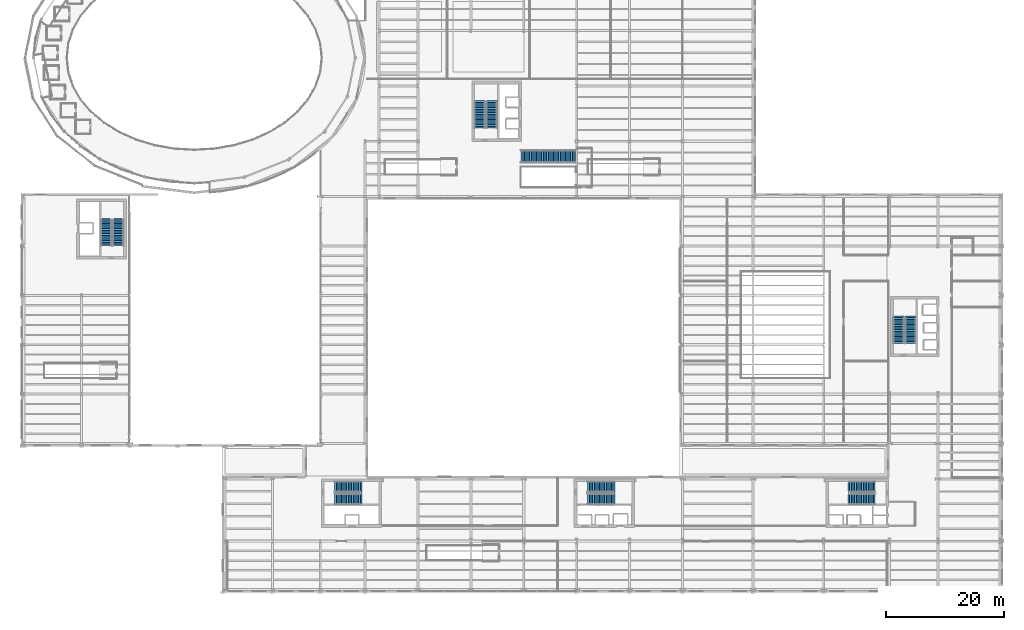
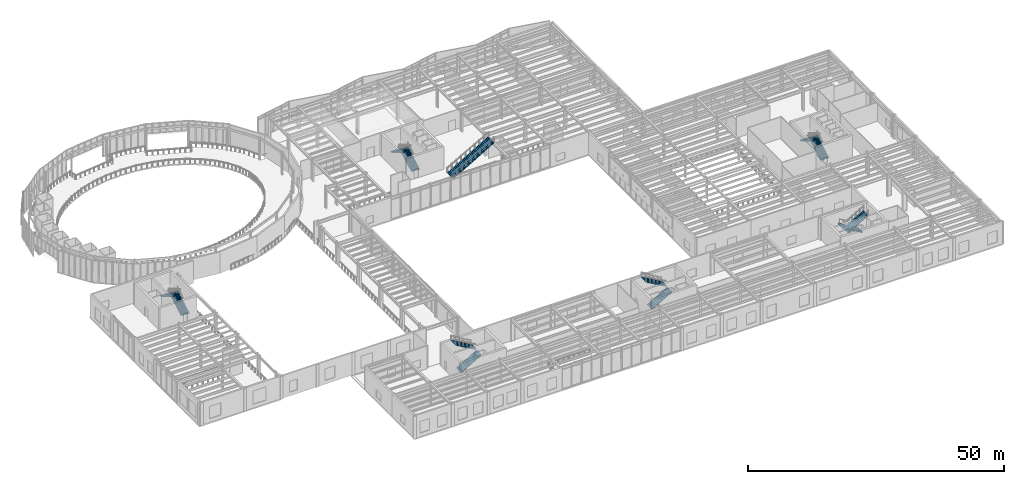
# One storey, part 84 of 98: 13 stair flights, 7 elements without a shape of their own.
"""IFC4 building model written with IfcOpenShell, lengths in metres."""

from ifc_helpers import new_model, si_unit, direction, frame, origin, place, context, subcontext, project, spatial, polyline, outline, extrude, material, type_object, element, aggregate, save


model = new_model("IFC4")

# Units and contexts
model_context = context("Model", 3, precision=1e-05, world=origin(), true_north=direction((0.0, 1.0)))
body_context = subcontext(model_context, "Body", "Model", "MODEL_VIEW")
ifc_project = project(units=[si_unit("LENGTHUNIT", "METRE"), si_unit("AREAUNIT", "SQUARE_METRE"), si_unit("VOLUMEUNIT", "CUBIC_METRE"), si_unit("PLANEANGLEUNIT", "RADIAN"), si_unit("MASSUNIT", "GRAM", prefix="KILO")], contexts=[model_context])

# Site, building, storey
site_placement = place(None, origin())
site = spatial("IfcSite", under=ifc_project, at=site_placement, CompositionType="ELEMENT")
building_placement = place(site_placement, origin())
building = spatial("IfcBuilding", under=site, at=building_placement, Name="Sollismere Congress Hotel", CompositionType="ELEMENT")
storey_placement = place(building_placement, frame((0.0, 0.0, 5.39990234375)))
storey = spatial("IfcBuildingStorey", under=building, at=storey_placement, Name="L01", CompositionType="ELEMENT", Elevation=5.39990234375)

# Stair, stair flights
ifc_material_1 = material(Name="Concrete C40/50", Category="concrete")
stair_type_1 = type_object("IfcStairType", Name="STR-DL-540", PredefinedType="HALF_TURN_STAIR", material=ifc_material_1)
stair_1_placement = place(storey_placement, origin())
stair_1 = element("IfcStair", 1, at=stair_1_placement, inside=storey, type_object=stair_type_1, Name="Protected exit stair ST-01-L01", PredefinedType="HALF_TURN_STAIR")
stair_flight_type_1 = type_object("IfcStairFlightType", Name="STF-DL-540", PredefinedType="STRAIGHT", material=ifc_material_1)
stair_flight_1_placement = place(storey_placement, frame((144.75, 17.425048828125, 0.0), z_axis=(0.0, 0.0, 1.0), x_axis=(-1.0, 0.0, 0.0)))
stair_flight_1 = element("IfcStairFlight", 2, at=stair_flight_1_placement, type_object=stair_flight_type_1, Name="Exit stair flight ST-01-L01-F1", NumberOfRisers=16, NumberOfTreads=16, PredefinedType="STRAIGHT", RiserHeight=0.168701171875, TreadLength=0.2900390625, context=body_context, shape_type="SweptSolid", body=[
    extrude(outline(polyline([(0.0, 0.0), (0.0, 0.168701171875), (0.2900390625, 0.168701171875), (0.2900390625, 0.33740234375), (0.580078125, 0.33740234375), (0.580078125, 0.506103515625), (0.8701171875, 0.506103515625), (0.8701171875, 0.6748046875), (1.16015625, 0.6748046875), (1.16015625, 0.843505859375), (1.4501953125, 0.843505859375), (1.4501953125, 1.01220703125), (1.740234375, 1.01220703125), (1.740234375, 1.180908203125), (2.0302734375, 1.180908203125), (2.0302734375, 1.349609375), (2.3203125, 1.349609375), (2.3203125, 1.518310546875), (2.6103515625, 1.518310546875), (2.6103515625, 1.68701171875), (2.900390625, 1.68701171875), (2.900390625, 1.855712890625), (3.1904296875, 1.855712890625), (3.1904296875, 2.0244140625), (3.48046875, 2.0244140625), (3.48046875, 2.193115234375), (3.7705078125, 2.193115234375), (3.7705078125, 2.36181640625), (4.060546875, 2.36181640625), (4.060546875, 2.530517578125), (4.3505859375, 2.530517578125), (4.3505859375, 2.69921875), (4.640625, 2.69921875), (4.640625, 2.51416015625), (0.318115234375, 0.0), (0.0, 0.0)])), frame((0.0, 0.925048828125, 0.0), z_axis=(0.0, -1.0, 0.0), x_axis=(1.0, 0.0, 0.0)), (0.0, 0.0, 1.0), 1.85009765625),
])
stair_flight_2_placement = place(storey_placement, frame((140.110107421875, 15.375, 2.7001953125), z_axis=(0.0, 0.0, 1.0), x_axis=(1.0, 0.0, 0.0)))
stair_flight_2 = element("IfcStairFlight", 3, at=stair_flight_2_placement, type_object=stair_flight_type_1, Name="Exit stair flight ST-01-L01-F2", NumberOfRisers=16, NumberOfTreads=16, PredefinedType="STRAIGHT", RiserHeight=0.168701171875, TreadLength=0.2900390625, context=body_context, shape_type="SweptSolid", body=[
    extrude(outline(polyline([(0.0, 0.0), (0.0, 0.168701171875), (0.2900390625, 0.168701171875), (0.2900390625, 0.33740234375), (0.580078125, 0.33740234375), (0.580078125, 0.506103515625), (0.8701171875, 0.506103515625), (0.8701171875, 0.6748046875), (1.16015625, 0.6748046875), (1.16015625, 0.843505859375), (1.4501953125, 0.843505859375), (1.4501953125, 1.01220703125), (1.740234375, 1.01220703125), (1.740234375, 1.180908203125), (2.0302734375, 1.180908203125), (2.0302734375, 1.349609375), (2.3203125, 1.349609375), (2.3203125, 1.518310546875), (2.6103515625, 1.518310546875), (2.6103515625, 1.68701171875), (2.900390625, 1.68701171875), (2.900390625, 1.855712890625), (3.1904296875, 1.855712890625), (3.1904296875, 2.0244140625), (3.48046875, 2.0244140625), (3.48046875, 2.193115234375), (3.7705078125, 2.193115234375), (3.7705078125, 2.36181640625), (4.060546875, 2.36181640625), (4.060546875, 2.530517578125), (4.3505859375, 2.530517578125), (4.3505859375, 2.69921875), (4.640625, 2.69921875), (4.640625, 2.51416015625), (0.318115234375, 0.0), (0.0, 0.0)])), frame((0.0, 0.925048828125, 0.0), z_axis=(0.0, -1.0, 0.0), x_axis=(1.0, 0.0, 0.0)), (0.0, 0.0, 1.0), 1.85009765625),
])
aggregate(stair_1, [stair_flight_1, stair_flight_2])

stair_2_placement = place(storey_placement, origin())
stair_2 = element("IfcStair", 4, at=stair_2_placement, inside=storey, type_object=stair_type_1, Name="Protected exit stair ST-02-L01", PredefinedType="HALF_TURN_STAIR")
stair_flight_3_placement = place(storey_placement, frame((95.85009765625, 15.375, 0.0), z_axis=(0.0, 0.0, 1.0), x_axis=(1.0, 0.0, 0.0)))
stair_flight_3 = element("IfcStairFlight", 5, at=stair_flight_3_placement, type_object=stair_flight_type_1, Name="Exit stair flight ST-02-L01-F1", NumberOfRisers=16, NumberOfTreads=16, PredefinedType="STRAIGHT", RiserHeight=0.168701171875, TreadLength=0.2900390625, context=body_context, shape_type="SweptSolid", body=[
    extrude(outline(polyline([(0.0, 0.0), (0.0, 0.168701171875), (0.2900390625, 0.168701171875), (0.2900390625, 0.33740234375), (0.580078125, 0.33740234375), (0.580078125, 0.506103515625), (0.8701171875, 0.506103515625), (0.8701171875, 0.6748046875), (1.16015625, 0.6748046875), (1.16015625, 0.843505859375), (1.4501953125, 0.843505859375), (1.4501953125, 1.01220703125), (1.740234375, 1.01220703125), (1.740234375, 1.180908203125), (2.0302734375, 1.180908203125), (2.0302734375, 1.349609375), (2.3203125, 1.349609375), (2.3203125, 1.518310546875), (2.6103515625, 1.518310546875), (2.6103515625, 1.68701171875), (2.900390625, 1.68701171875), (2.900390625, 1.855712890625), (3.1904296875, 1.855712890625), (3.1904296875, 2.0244140625), (3.48046875, 2.0244140625), (3.48046875, 2.193115234375), (3.7705078125, 2.193115234375), (3.7705078125, 2.36181640625), (4.060546875, 2.36181640625), (4.060546875, 2.530517578125), (4.3505859375, 2.530517578125), (4.3505859375, 2.69921875), (4.640625, 2.69921875), (4.640625, 2.51416015625), (0.318115234375, 0.0), (0.0, 0.0)])), frame((0.0, 0.925048828125, 0.0), z_axis=(0.0, -1.0, 0.0), x_axis=(1.0, 0.0, 0.0)), (0.0, 0.0, 1.0), 1.85009765625),
])
stair_flight_4_placement = place(storey_placement, frame((100.489990234375, 17.425048828125, 2.7001953125), z_axis=(0.0, 0.0, 1.0), x_axis=(-1.0, 0.0, 0.0)))
stair_flight_4 = element("IfcStairFlight", 6, at=stair_flight_4_placement, type_object=stair_flight_type_1, Name="Exit stair flight ST-02-L01-F2", NumberOfRisers=16, NumberOfTreads=16, PredefinedType="STRAIGHT", RiserHeight=0.168701171875, TreadLength=0.2900390625, context=body_context, shape_type="SweptSolid", body=[
    extrude(outline(polyline([(0.0, 0.0), (0.0, 0.168701171875), (0.2900390625, 0.168701171875), (0.2900390625, 0.33740234375), (0.580078125, 0.33740234375), (0.580078125, 0.506103515625), (0.8701171875, 0.506103515625), (0.8701171875, 0.6748046875), (1.16015625, 0.6748046875), (1.16015625, 0.843505859375), (1.4501953125, 0.843505859375), (1.4501953125, 1.01220703125), (1.740234375, 1.01220703125), (1.740234375, 1.180908203125), (2.0302734375, 1.180908203125), (2.0302734375, 1.349609375), (2.3203125, 1.349609375), (2.3203125, 1.518310546875), (2.6103515625, 1.518310546875), (2.6103515625, 1.68701171875), (2.900390625, 1.68701171875), (2.900390625, 1.855712890625), (3.1904296875, 1.855712890625), (3.1904296875, 2.0244140625), (3.48046875, 2.0244140625), (3.48046875, 2.193115234375), (3.7705078125, 2.193115234375), (3.7705078125, 2.36181640625), (4.060546875, 2.36181640625), (4.060546875, 2.530517578125), (4.3505859375, 2.530517578125), (4.3505859375, 2.69921875), (4.640625, 2.69921875), (4.640625, 2.51416015625), (0.318115234375, 0.0), (0.0, 0.0)])), frame((0.0, 0.925048828125, 0.0), z_axis=(0.0, -1.0, 0.0), x_axis=(1.0, 0.0, 0.0)), (0.0, 0.0, 1.0), 1.85009765625),
])
aggregate(stair_2, [stair_flight_3, stair_flight_4])

stair_3_placement = place(storey_placement, origin())
stair_3 = element("IfcStair", 7, at=stair_3_placement, inside=storey, type_object=stair_type_1, Name="Protected exit stair ST-03-L01", PredefinedType="HALF_TURN_STAIR")
stair_flight_5_placement = place(storey_placement, frame((150.77490234375, 41.85009765625, 0.0), z_axis=(0.0, 0.0, 1.0), x_axis=(0.0, 1.0, 0.0)))
stair_flight_5 = element("IfcStairFlight", 8, at=stair_flight_5_placement, type_object=stair_flight_type_1, Name="Exit stair flight ST-03-L01-F1", NumberOfRisers=16, NumberOfTreads=16, PredefinedType="STRAIGHT", RiserHeight=0.168701171875, TreadLength=0.2900390625, context=body_context, shape_type="SweptSolid", body=[
    extrude(outline(polyline([(0.0, 0.0), (0.0, 0.168701171875), (0.2900390625, 0.168701171875), (0.2900390625, 0.33740234375), (0.580078125, 0.33740234375), (0.580078125, 0.506103515625), (0.8701171875, 0.506103515625), (0.8701171875, 0.6748046875), (1.16015625, 0.6748046875), (1.16015625, 0.843505859375), (1.4501953125, 0.843505859375), (1.4501953125, 1.01220703125), (1.740234375, 1.01220703125), (1.740234375, 1.180908203125), (2.0302734375, 1.180908203125), (2.0302734375, 1.349609375), (2.3203125, 1.349609375), (2.3203125, 1.518310546875), (2.6103515625, 1.518310546875), (2.6103515625, 1.68701171875), (2.900390625, 1.68701171875), (2.900390625, 1.855712890625), (3.1904296875, 1.855712890625), (3.1904296875, 2.0244140625), (3.48046875, 2.0244140625), (3.48046875, 2.193115234375), (3.7705078125, 2.193115234375), (3.7705078125, 2.36181640625), (4.060546875, 2.36181640625), (4.060546875, 2.530517578125), (4.3505859375, 2.530517578125), (4.3505859375, 2.69921875), (4.640625, 2.69921875), (4.640625, 2.51416015625), (0.318115234375, 0.0), (0.0, 0.0)])), frame((0.0, 0.925048828125, 0.0), z_axis=(0.0, -1.0, 0.0), x_axis=(1.0, 0.0, 0.0)), (0.0, 0.0, 1.0), 1.85009765625),
])
stair_flight_6_placement = place(storey_placement, frame((148.72509765625, 46.489990234375, 2.7001953125), z_axis=(0.0, 0.0, 1.0), x_axis=(0.0, -1.0, 0.0)))
stair_flight_6 = element("IfcStairFlight", 9, at=stair_flight_6_placement, type_object=stair_flight_type_1, Name="Exit stair flight ST-03-L01-F2", NumberOfRisers=16, NumberOfTreads=16, PredefinedType="STRAIGHT", RiserHeight=0.168701171875, TreadLength=0.2900390625, context=body_context, shape_type="SweptSolid", body=[
    extrude(outline(polyline([(0.0, 0.0), (0.0, 0.168701171875), (0.2900390625, 0.168701171875), (0.2900390625, 0.33740234375), (0.580078125, 0.33740234375), (0.580078125, 0.506103515625), (0.8701171875, 0.506103515625), (0.8701171875, 0.6748046875), (1.16015625, 0.6748046875), (1.16015625, 0.843505859375), (1.4501953125, 0.843505859375), (1.4501953125, 1.01220703125), (1.740234375, 1.01220703125), (1.740234375, 1.180908203125), (2.0302734375, 1.180908203125), (2.0302734375, 1.349609375), (2.3203125, 1.349609375), (2.3203125, 1.518310546875), (2.6103515625, 1.518310546875), (2.6103515625, 1.68701171875), (2.900390625, 1.68701171875), (2.900390625, 1.855712890625), (3.1904296875, 1.855712890625), (3.1904296875, 2.0244140625), (3.48046875, 2.0244140625), (3.48046875, 2.193115234375), (3.7705078125, 2.193115234375), (3.7705078125, 2.36181640625), (4.060546875, 2.36181640625), (4.060546875, 2.530517578125), (4.3505859375, 2.530517578125), (4.3505859375, 2.69921875), (4.640625, 2.69921875), (4.640625, 2.51416015625), (0.318115234375, 0.0), (0.0, 0.0)])), frame((0.0, 0.925048828125, 0.0), z_axis=(0.0, -1.0, 0.0), x_axis=(1.0, 0.0, 0.0)), (0.0, 0.0, 1.0), 1.85009765625),
])
aggregate(stair_3, [stair_flight_5, stair_flight_6])

stair_4_placement = place(storey_placement, origin())
stair_4 = element("IfcStair", 10, at=stair_4_placement, inside=storey, type_object=stair_type_1, Name="Protected exit stair ST-04-L01", PredefinedType="HALF_TURN_STAIR")
stair_flight_7_placement = place(storey_placement, frame((79.574951171875, 78.449951171875, 0.0), z_axis=(0.0, 0.0, 1.0), x_axis=(0.0, 1.0, 0.0)))
stair_flight_7 = element("IfcStairFlight", 11, at=stair_flight_7_placement, type_object=stair_flight_type_1, Name="Exit stair flight ST-04-L01-F1", NumberOfRisers=16, NumberOfTreads=16, PredefinedType="STRAIGHT", RiserHeight=0.168701171875, TreadLength=0.2900390625, context=body_context, shape_type="SweptSolid", body=[
    extrude(outline(polyline([(0.0, 0.0), (0.0, 0.168701171875), (0.2900390625, 0.168701171875), (0.2900390625, 0.33740234375), (0.580078125, 0.33740234375), (0.580078125, 0.506103515625), (0.8701171875, 0.506103515625), (0.8701171875, 0.6748046875), (1.16015625, 0.6748046875), (1.16015625, 0.843505859375), (1.4501953125, 0.843505859375), (1.4501953125, 1.01220703125), (1.740234375, 1.01220703125), (1.740234375, 1.180908203125), (2.0302734375, 1.180908203125), (2.0302734375, 1.349609375), (2.3203125, 1.349609375), (2.3203125, 1.518310546875), (2.6103515625, 1.518310546875), (2.6103515625, 1.68701171875), (2.900390625, 1.68701171875), (2.900390625, 1.855712890625), (3.1904296875, 1.855712890625), (3.1904296875, 2.0244140625), (3.48046875, 2.0244140625), (3.48046875, 2.193115234375), (3.7705078125, 2.193115234375), (3.7705078125, 2.36181640625), (4.060546875, 2.36181640625), (4.060546875, 2.530517578125), (4.3505859375, 2.530517578125), (4.3505859375, 2.69921875), (4.640625, 2.69921875), (4.640625, 2.51416015625), (0.318115234375, 0.0), (0.0, 0.0)])), frame((0.0, 0.925048828125, 0.0), z_axis=(0.0, -1.0, 0.0), x_axis=(1.0, 0.0, 0.0)), (0.0, 0.0, 1.0), 1.85009765625),
])
stair_flight_8_placement = place(storey_placement, frame((77.52490234375, 83.090087890625, 2.7001953125), z_axis=(0.0, 0.0, 1.0), x_axis=(0.0, -1.0, 0.0)))
stair_flight_8 = element("IfcStairFlight", 12, at=stair_flight_8_placement, type_object=stair_flight_type_1, Name="Exit stair flight ST-04-L01-F2", NumberOfRisers=16, NumberOfTreads=16, PredefinedType="STRAIGHT", RiserHeight=0.168701171875, TreadLength=0.2900390625, context=body_context, shape_type="SweptSolid", body=[
    extrude(outline(polyline([(0.0, 0.0), (0.0, 0.168701171875), (0.2900390625, 0.168701171875), (0.2900390625, 0.33740234375), (0.580078125, 0.33740234375), (0.580078125, 0.506103515625), (0.8701171875, 0.506103515625), (0.8701171875, 0.6748046875), (1.16015625, 0.6748046875), (1.16015625, 0.843505859375), (1.4501953125, 0.843505859375), (1.4501953125, 1.01220703125), (1.740234375, 1.01220703125), (1.740234375, 1.180908203125), (2.0302734375, 1.180908203125), (2.0302734375, 1.349609375), (2.3203125, 1.349609375), (2.3203125, 1.518310546875), (2.6103515625, 1.518310546875), (2.6103515625, 1.68701171875), (2.900390625, 1.68701171875), (2.900390625, 1.855712890625), (3.1904296875, 1.855712890625), (3.1904296875, 2.0244140625), (3.48046875, 2.0244140625), (3.48046875, 2.193115234375), (3.7705078125, 2.193115234375), (3.7705078125, 2.36181640625), (4.060546875, 2.36181640625), (4.060546875, 2.530517578125), (4.3505859375, 2.530517578125), (4.3505859375, 2.69921875), (4.640625, 2.69921875), (4.640625, 2.51416015625), (0.318115234375, 0.0), (0.0, 0.0)])), frame((0.0, 0.925048828125, 0.0), z_axis=(0.0, -1.0, 0.0), x_axis=(1.0, 0.0, 0.0)), (0.0, 0.0, 1.0), 1.85009765625),
])
aggregate(stair_4, [stair_flight_7, stair_flight_8])

stair_5_placement = place(storey_placement, origin())
stair_5 = element("IfcStair", 13, at=stair_5_placement, inside=storey, type_object=stair_type_1, Name="Protected exit stair ST-05-L01", PredefinedType="HALF_TURN_STAIR")
stair_flight_9_placement = place(storey_placement, frame((16.074951171875, 58.449951171875, 0.0), z_axis=(0.0, 0.0, 1.0), x_axis=(0.0, 1.0, 0.0)))
stair_flight_9 = element("IfcStairFlight", 14, at=stair_flight_9_placement, type_object=stair_flight_type_1, Name="Exit stair flight ST-05-L01-F1", NumberOfRisers=16, NumberOfTreads=16, PredefinedType="STRAIGHT", RiserHeight=0.168701171875, TreadLength=0.2900390625, context=body_context, shape_type="SweptSolid", body=[
    extrude(outline(polyline([(0.0, 0.0), (0.0, 0.168701171875), (0.2900390625, 0.168701171875), (0.2900390625, 0.33740234375), (0.580078125, 0.33740234375), (0.580078125, 0.506103515625), (0.8701171875, 0.506103515625), (0.8701171875, 0.6748046875), (1.16015625, 0.6748046875), (1.16015625, 0.843505859375), (1.4501953125, 0.843505859375), (1.4501953125, 1.01220703125), (1.740234375, 1.01220703125), (1.740234375, 1.180908203125), (2.0302734375, 1.180908203125), (2.0302734375, 1.349609375), (2.3203125, 1.349609375), (2.3203125, 1.518310546875), (2.6103515625, 1.518310546875), (2.6103515625, 1.68701171875), (2.900390625, 1.68701171875), (2.900390625, 1.855712890625), (3.1904296875, 1.855712890625), (3.1904296875, 2.0244140625), (3.48046875, 2.0244140625), (3.48046875, 2.193115234375), (3.7705078125, 2.193115234375), (3.7705078125, 2.36181640625), (4.060546875, 2.36181640625), (4.060546875, 2.530517578125), (4.3505859375, 2.530517578125), (4.3505859375, 2.69921875), (4.640625, 2.69921875), (4.640625, 2.51416015625), (0.318115234375, 0.0), (0.0, 0.0)])), frame((0.0, 0.925048828125, 0.0), z_axis=(0.0, -1.0, 0.0), x_axis=(1.0, 0.0, 0.0)), (0.0, 0.0, 1.0), 1.85009765625),
])
stair_flight_10_placement = place(storey_placement, frame((14.02490234375, 63.090087890625, 2.7001953125), z_axis=(0.0, 0.0, 1.0), x_axis=(0.0, -1.0, 0.0)))
stair_flight_10 = element("IfcStairFlight", 15, at=stair_flight_10_placement, type_object=stair_flight_type_1, Name="Exit stair flight ST-05-L01-F2", NumberOfRisers=16, NumberOfTreads=16, PredefinedType="STRAIGHT", RiserHeight=0.168701171875, TreadLength=0.2900390625, context=body_context, shape_type="SweptSolid", body=[
    extrude(outline(polyline([(0.0, 0.0), (0.0, 0.168701171875), (0.2900390625, 0.168701171875), (0.2900390625, 0.33740234375), (0.580078125, 0.33740234375), (0.580078125, 0.506103515625), (0.8701171875, 0.506103515625), (0.8701171875, 0.6748046875), (1.16015625, 0.6748046875), (1.16015625, 0.843505859375), (1.4501953125, 0.843505859375), (1.4501953125, 1.01220703125), (1.740234375, 1.01220703125), (1.740234375, 1.180908203125), (2.0302734375, 1.180908203125), (2.0302734375, 1.349609375), (2.3203125, 1.349609375), (2.3203125, 1.518310546875), (2.6103515625, 1.518310546875), (2.6103515625, 1.68701171875), (2.900390625, 1.68701171875), (2.900390625, 1.855712890625), (3.1904296875, 1.855712890625), (3.1904296875, 2.0244140625), (3.48046875, 2.0244140625), (3.48046875, 2.193115234375), (3.7705078125, 2.193115234375), (3.7705078125, 2.36181640625), (4.060546875, 2.36181640625), (4.060546875, 2.530517578125), (4.3505859375, 2.530517578125), (4.3505859375, 2.69921875), (4.640625, 2.69921875), (4.640625, 2.51416015625), (0.318115234375, 0.0), (0.0, 0.0)])), frame((0.0, 0.925048828125, 0.0), z_axis=(0.0, -1.0, 0.0), x_axis=(1.0, 0.0, 0.0)), (0.0, 0.0, 1.0), 1.85009765625),
])
aggregate(stair_5, [stair_flight_9, stair_flight_10])

stair_6_placement = place(storey_placement, origin())
stair_6 = element("IfcStair", 16, at=stair_6_placement, inside=storey, type_object=stair_type_1, Name="Protected exit stair ST-06-L01", PredefinedType="HALF_TURN_STAIR")
stair_flight_11_placement = place(storey_placement, frame((52.85009765625, 15.375, 0.0), z_axis=(0.0, 0.0, 1.0), x_axis=(1.0, 0.0, 0.0)))
stair_flight_11 = element("IfcStairFlight", 17, at=stair_flight_11_placement, type_object=stair_flight_type_1, Name="Exit stair flight ST-06-L01-F1", NumberOfRisers=16, NumberOfTreads=16, PredefinedType="STRAIGHT", RiserHeight=0.168701171875, TreadLength=0.2900390625, context=body_context, shape_type="SweptSolid", body=[
    extrude(outline(polyline([(0.0, 0.0), (0.0, 0.168701171875), (0.2900390625, 0.168701171875), (0.2900390625, 0.33740234375), (0.580078125, 0.33740234375), (0.580078125, 0.506103515625), (0.8701171875, 0.506103515625), (0.8701171875, 0.6748046875), (1.16015625, 0.6748046875), (1.16015625, 0.843505859375), (1.4501953125, 0.843505859375), (1.4501953125, 1.01220703125), (1.740234375, 1.01220703125), (1.740234375, 1.180908203125), (2.0302734375, 1.180908203125), (2.0302734375, 1.349609375), (2.3203125, 1.349609375), (2.3203125, 1.518310546875), (2.6103515625, 1.518310546875), (2.6103515625, 1.68701171875), (2.900390625, 1.68701171875), (2.900390625, 1.855712890625), (3.1904296875, 1.855712890625), (3.1904296875, 2.0244140625), (3.48046875, 2.0244140625), (3.48046875, 2.193115234375), (3.7705078125, 2.193115234375), (3.7705078125, 2.36181640625), (4.060546875, 2.36181640625), (4.060546875, 2.530517578125), (4.3505859375, 2.530517578125), (4.3505859375, 2.69921875), (4.640625, 2.69921875), (4.640625, 2.51416015625), (0.318115234375, 0.0), (0.0, 0.0)])), frame((0.0, 0.925048828125, 0.0), z_axis=(0.0, -1.0, 0.0), x_axis=(1.0, 0.0, 0.0)), (0.0, 0.0, 1.0), 1.85009765625),
])
stair_flight_12_placement = place(storey_placement, frame((57.489990234375, 17.425048828125, 2.7001953125), z_axis=(0.0, 0.0, 1.0), x_axis=(-1.0, 0.0, 0.0)))
stair_flight_12 = element("IfcStairFlight", 18, at=stair_flight_12_placement, type_object=stair_flight_type_1, Name="Exit stair flight ST-06-L01-F2", NumberOfRisers=16, NumberOfTreads=16, PredefinedType="STRAIGHT", RiserHeight=0.168701171875, TreadLength=0.2900390625, context=body_context, shape_type="SweptSolid", body=[
    extrude(outline(polyline([(0.0, 0.0), (0.0, 0.168701171875), (0.2900390625, 0.168701171875), (0.2900390625, 0.33740234375), (0.580078125, 0.33740234375), (0.580078125, 0.506103515625), (0.8701171875, 0.506103515625), (0.8701171875, 0.6748046875), (1.16015625, 0.6748046875), (1.16015625, 0.843505859375), (1.4501953125, 0.843505859375), (1.4501953125, 1.01220703125), (1.740234375, 1.01220703125), (1.740234375, 1.180908203125), (2.0302734375, 1.180908203125), (2.0302734375, 1.349609375), (2.3203125, 1.349609375), (2.3203125, 1.518310546875), (2.6103515625, 1.518310546875), (2.6103515625, 1.68701171875), (2.900390625, 1.68701171875), (2.900390625, 1.855712890625), (3.1904296875, 1.855712890625), (3.1904296875, 2.0244140625), (3.48046875, 2.0244140625), (3.48046875, 2.193115234375), (3.7705078125, 2.193115234375), (3.7705078125, 2.36181640625), (4.060546875, 2.36181640625), (4.060546875, 2.530517578125), (4.3505859375, 2.530517578125), (4.3505859375, 2.69921875), (4.640625, 2.69921875), (4.640625, 2.51416015625), (0.318115234375, 0.0), (0.0, 0.0)])), frame((0.0, 0.925048828125, 0.0), z_axis=(0.0, -1.0, 0.0), x_axis=(1.0, 0.0, 0.0)), (0.0, 0.0, 1.0), 1.85009765625),
])
aggregate(stair_6, [stair_flight_11, stair_flight_12])

# Stair, stair flight
ifc_material_2 = material(Name="Steel ASTM A992 Grade 50", Category="steel")
stair_type_2 = type_object("IfcStairType", Name="STR-SR180", PredefinedType="STRAIGHT_RUN_STAIR", material=ifc_material_2)
stair_7_placement = place(storey_placement, origin())
stair_7 = element("IfcStair", 19, at=stair_7_placement, inside=storey, type_object=stair_type_2, Name="Monumental stair ST-12", PredefinedType="STRAIGHT_RUN_STAIR")
stair_flight_type_2 = type_object("IfcStairFlightType", Name="STF-SR180", PredefinedType="STRAIGHT", material=ifc_material_2)
stair_flight_13_placement = place(storey_placement, frame((84.550048828125, 73.60009765625, 0.0), z_axis=(0.0, 0.0, 1.0), x_axis=(1.0, 0.0, 0.0)))
stair_flight_13 = element("IfcStairFlight", 20, at=stair_flight_13_placement, type_object=stair_flight_type_2, Name="ST-12 flight 1", NumberOfRisers=32, NumberOfTreads=32, PredefinedType="STRAIGHT", RiserHeight=0.168701171875, TreadLength=0.2900390625, context=body_context, shape_type="SweptSolid", body=[
    extrude(outline(polyline([(0.0, 0.0), (0.0, 0.168701171875), (0.2900390625, 0.168701171875), (0.2900390625, 0.33740234375), (0.580078125, 0.33740234375), (0.580078125, 0.506103515625), (0.8701171875, 0.506103515625), (0.8701171875, 0.6748046875), (1.16015625, 0.6748046875), (1.16015625, 0.843505859375), (1.4501953125, 0.843505859375), (1.4501953125, 1.01220703125), (1.740234375, 1.01220703125), (1.740234375, 1.180908203125), (2.0302734375, 1.180908203125), (2.0302734375, 1.349609375), (2.3203125, 1.349609375), (2.3203125, 1.518310546875), (2.6103515625, 1.518310546875), (2.6103515625, 1.68701171875), (2.900390625, 1.68701171875), (2.900390625, 1.855712890625), (3.1904296875, 1.855712890625), (3.1904296875, 2.0244140625), (3.48046875, 2.0244140625), (3.48046875, 2.193115234375), (3.7705078125, 2.193115234375), (3.7705078125, 2.36181640625), (4.060546875, 2.36181640625), (4.060546875, 2.530517578125), (4.3505859375, 2.530517578125), (4.3505859375, 2.69921875), (4.640625, 2.69921875), (4.640625, 2.867919921875), (4.9306640625, 2.867919921875), (4.9306640625, 3.03662109375), (5.220703125, 3.03662109375), (5.220703125, 3.205322265625), (5.5107421875, 3.205322265625), (5.5107421875, 3.3740234375), (5.80078125, 3.3740234375), (5.80078125, 3.542724609375), (6.0908203125, 3.542724609375), (6.0908203125, 3.71142578125), (6.380859375, 3.71142578125), (6.380859375, 3.880126953125), (6.6708984375, 3.880126953125), (6.6708984375, 4.048828125), (6.9609375, 4.048828125), (6.9609375, 4.217529296875), (7.2509765625, 4.217529296875), (7.2509765625, 4.38623046875), (7.541015625, 4.38623046875), (7.541015625, 4.554931640625), (7.8310546875, 4.554931640625), (7.8310546875, 4.7236328125), (8.12109375, 4.7236328125), (8.12109375, 4.892333984375), (8.4111328125, 4.892333984375), (8.4111328125, 5.06103515625), (8.701171875, 5.06103515625), (8.701171875, 5.229736328125), (8.9912109375, 5.229736328125), (8.9912109375, 5.3984375), (9.28125, 5.3984375), (9.28125, 5.190185546875), (0.35791015625, 0.0), (0.0, 0.0)])), frame((0.0, 1.08984375, 0.0), z_axis=(0.0, -1.0, 0.0), x_axis=(1.0, 0.0, 0.0)), (0.0, 0.0, 1.0), 2.179931640625),
])
aggregate(stair_7, [stair_flight_13])

save(model, "model.ifc")
